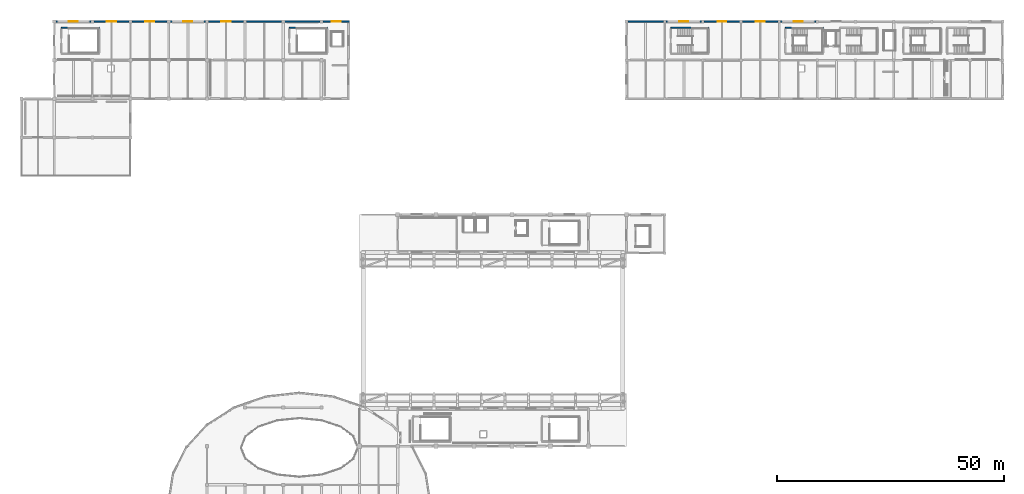
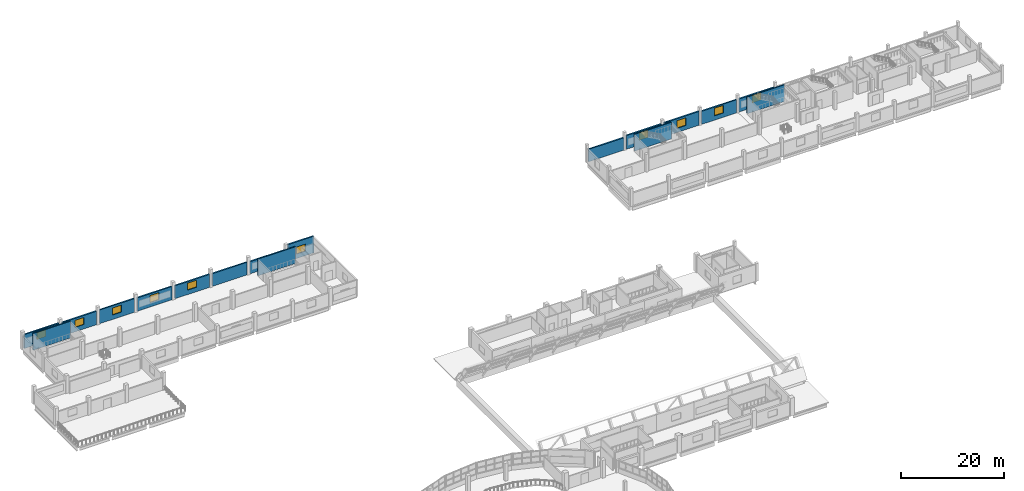
# One storey, part 46 of 52: 17 walls, 10 windows, 10 openings.
"""IFC4 building model written with IfcOpenShell, lengths in metres."""

import ifcopenshell
import ifcopenshell.guid

model = None  # the IFC model being written
_history = None  # IfcOwnerHistory: only IFC2X3 demands one
_inside = {}  # id of a spatial element -> (the spatial element, [elements in it])
_under = {}  # id of a project, library or spatial element -> (it, [spatial elements below it])
_declared = {}  # id of a project -> (the project, [libraries it declares])
_typed = {}  # id of a type object -> (the type object, [elements of that type])
_made_of = {}  # id of a material, layer set ... -> (it, [elements and type objects made of it])


def new_model(schema):
    """Start an empty IFC model of exactly this schema.

    Asked for "IFC4X3", IfcOpenShell would pick the latest addendum, in which some entities
    have other attributes; the version numbers below select the first issue.
    IFC2X3 requires an IfcOwnerHistory on every rooted entity: one is made here for all.
    """
    global model, _history
    if schema == "IFC4X3":
        model = ifcopenshell.file(schema_version=(4, 3, 0, 0))
    else:
        model = ifcopenshell.file(schema=schema)
    _inside.clear()
    _under.clear()
    _declared.clear()
    _typed.clear()
    _made_of.clear()
    _history = None
    if model.schema == "IFC2X3":
        org = make("IfcOrganization", Name="unknown")
        user = make(
            "IfcPersonAndOrganization",
            ThePerson=make("IfcPerson", FamilyName="unknown"),
            TheOrganization=org,
        )
        app = make(
            "IfcApplication",
            ApplicationDeveloper=org,
            Version="unknown",
            ApplicationFullName="unknown",
            ApplicationIdentifier="unknown",
        )
        _history = make(
            "IfcOwnerHistory",
            OwningUser=user,
            OwningApplication=app,
            ChangeAction="ADDED",
            CreationDate=0,
        )
    return model


def make(cls, **values):
    """One entity of the class cls with the attributes given. An attribute that is None is left unset."""
    return model.create_entity(
        cls, **{name: value for name, value in values.items() if value is not None}
    )


def rooted(cls, **values):
    """An entity with a GlobalId (a new one), such as an element, a storey or a relation."""
    return make(cls, GlobalId=ifcopenshell.guid.new(), OwnerHistory=_history, **values)


def si_unit(unit_type, name, prefix=None):
    """IfcSIUnit, for example si_unit("LENGTHUNIT", "METRE", prefix="MILLI")."""
    return make("IfcSIUnit", UnitType=unit_type, Prefix=prefix, Name=name)


def assignment(units):
    """IfcUnitAssignment: the units of a project."""
    return None if units is None else make("IfcUnitAssignment", Units=units)


def point(xyz):
    """IfcCartesianPoint."""
    return None if xyz is None else make("IfcCartesianPoint", Coordinates=xyz)


def direction(xyz):
    """IfcDirection."""
    return None if xyz is None else make("IfcDirection", DirectionRatios=xyz)


def frame(location, z_axis=None, x_axis=None):
    """IfcAxis2Placement3D, a coordinate frame: its origin and axes. An axis left out is left unset."""
    return make(
        "IfcAxis2Placement3D",
        Location=point(location),
        Axis=direction(z_axis),
        RefDirection=direction(x_axis),
    )


def frame_2d(location, x_axis=None):
    """IfcAxis2Placement2D, a coordinate frame in the plane: its origin and x axis."""
    return make(
        "IfcAxis2Placement2D", Location=point(location), RefDirection=direction(x_axis)
    )


def origin():
    """The frame at (0, 0, 0) with its axes left unset."""
    return frame((0.0, 0.0, 0.0))


def place(relative_to, where):
    """IfcLocalPlacement: puts the frame where relative to a parent placement (None: the world)."""
    return make(
        "IfcLocalPlacement", PlacementRelTo=relative_to, RelativePlacement=where
    )


def context(
    kind, dimensions, precision=None, world=None, true_north=None, identifier=None
):
    """IfcGeometricRepresentationContext, for example the 3D "Model" context."""
    return make(
        "IfcGeometricRepresentationContext",
        ContextIdentifier=identifier,
        ContextType=kind,
        CoordinateSpaceDimension=dimensions,
        Precision=precision,
        WorldCoordinateSystem=world,
        TrueNorth=true_north,
    )


def subcontext(parent, identifier, kind, view, scale=None):
    """IfcGeometricRepresentationSubContext, for example "Body" below "Model"."""
    return make(
        "IfcGeometricRepresentationSubContext",
        ContextIdentifier=identifier,
        ContextType=kind,
        ParentContext=parent,
        TargetScale=scale,
        TargetView=view,
    )


def project(units=None, contexts=None):
    """IfcProject with its units and contexts."""
    return rooted(
        "IfcProject",
        Name="project",
        RepresentationContexts=contexts,
        UnitsInContext=assignment(units),
    )


def spatial(cls, under=None, at=None, **own):
    """A site, building, storey or space (cls), placed at a placement, below another one or the project."""
    s = rooted(cls, ObjectPlacement=at, **own)
    if under is not None:
        _under.setdefault(under.id(), (under, []))[1].append(s)
    return s


def profile(cls, at=None, kind="AREA", **sizes):
    """A parametric profile (cls). Its sizes go by their IFC names, for example OverallWidth=200.0."""
    return make(cls, ProfileType=kind, Position=at, **sizes)


def rectangle(**sizes):
    """IfcRectangleProfileDef."""
    return profile("IfcRectangleProfileDef", **sizes)


def extrude(swept, where, along, depth):
    """IfcExtrudedAreaSolid: the profile swept, set in the frame where, extruded along a direction by depth."""
    return make(
        "IfcExtrudedAreaSolid",
        SweptArea=swept,
        Position=where,
        ExtrudedDirection=direction(along),
        Depth=depth,
    )


def shape(context_of_items, identifier, shape_type, items):
    """IfcShapeRepresentation: the items that make up one representation, for example the "Body"."""
    return make(
        "IfcShapeRepresentation",
        ContextOfItems=context_of_items,
        RepresentationIdentifier=identifier,
        RepresentationType=shape_type,
        Items=items,
    )


def material(Name=None, Category=None):
    """IfcMaterial."""
    return make("IfcMaterial", Name=Name, Category=Category)


def layer(
    of_material, thickness, ventilated=None, Name=None, Category=None, Priority=None
):
    """IfcMaterialLayer: one layer of a wall or slab, of a material (None: an air gap)."""
    return make(
        "IfcMaterialLayer",
        Material=of_material,
        LayerThickness=thickness,
        IsVentilated=ventilated,
        Name=Name,
        Category=Category,
        Priority=Priority,
    )


def layer_set(layers, Name=None):
    """IfcMaterialLayerSet."""
    return make("IfcMaterialLayerSet", MaterialLayers=layers, LayerSetName=Name)


def made_of(thing, what):
    """Note that an element or type object is made of a material, layer set ...; save() writes the relation."""
    if what is not None:
        _made_of.setdefault(what.id(), (what, []))[1].append(thing)
    return thing


def type_object(cls, material=None, **own):
    """A type object (cls), such as IfcWallType, which elements share."""
    return made_of(rooted(cls, **own), material)


def element(
    cls,
    number,
    at=None,
    inside=None,
    cuts=None,
    type_object=None,
    material=None,
    context=None,
    identifier="Body",
    shape_type=None,
    held_by="IfcProductDefinitionShape",
    body=None,
    shapes=None,
    **own,
):
    """One element of the class cls, such as IfcWall. Its Tag is "e" and its number.

    at: its placement. inside: the storey or other place that contains it. cuts: it is an
    opening in that element (IfcRelVoidsElement). A single representation is given by context,
    identifier, shape_type and body (its items); several are given by shapes. held_by: the class
    of the entity that holds the representations. save() writes the other relations.
    """
    e = rooted(cls, Tag="e%d" % number, ObjectPlacement=at, **own)
    if body is not None:
        shapes = [shape(context, identifier, shape_type, body)]
    if shapes is not None:
        e.Representation = make(held_by, Representations=shapes)
    if inside is not None:
        _inside.setdefault(inside.id(), (inside, []))[1].append(e)
    if cuts is not None:
        rooted(
            "IfcRelVoidsElement", RelatingBuildingElement=cuts, RelatedOpeningElement=e
        )
    if type_object is not None:
        _typed.setdefault(type_object.id(), (type_object, []))[1].append(e)
    return made_of(e, material)


def fill(opening, filler):
    """IfcRelFillsElement: the door or window that sits in an opening."""
    return rooted(
        "IfcRelFillsElement",
        RelatingOpeningElement=opening,
        RelatedBuildingElement=filler,
    )


def aggregate(whole, parts):
    """IfcRelAggregates: a whole, such as a stair, and the parts it consists of."""
    return rooted("IfcRelAggregates", RelatingObject=whole, RelatedObjects=parts)


def save(model, path):
    """Write the relations noted so far, then the file.

    IfcRelAggregates (storeys below a building ...), IfcRelContainedInSpatialStructure (elements
    in a storey), IfcRelDefinesByType, IfcRelAssociatesMaterial and IfcRelDeclares: one each for
    every whole, place, type object, material and project.
    """
    for whole, parts in _under.values():
        aggregate(whole, parts)
    for where, things in _inside.values():
        rooted(
            "IfcRelContainedInSpatialStructure",
            RelatedElements=things,
            RelatingStructure=where,
        )
    for kind, things in _typed.values():
        rooted("IfcRelDefinesByType", RelatedObjects=things, RelatingType=kind)
    for what, things in _made_of.values():
        rooted("IfcRelAssociatesMaterial", RelatedObjects=things, RelatingMaterial=what)
    for by, libraries in _declared.values():
        rooted("IfcRelDeclares", RelatingContext=by, RelatedDefinitions=libraries)
    model.write(path)


model = new_model("IFC4")

# Units and contexts
model_context = context("Model", 3, precision=1e-05, world=origin(), true_north=direction((0.0, 1.0)))
body_context = subcontext(model_context, "Body", "Model", "MODEL_VIEW")
ifc_project = project(units=[si_unit("LENGTHUNIT", "METRE"), si_unit("AREAUNIT", "SQUARE_METRE"), si_unit("VOLUMEUNIT", "CUBIC_METRE"), si_unit("PLANEANGLEUNIT", "RADIAN"), si_unit("MASSUNIT", "GRAM", prefix="KILO")], contexts=[model_context])

# Site, building, storey
site_placement = place(None, origin())
site = spatial("IfcSite", under=ifc_project, at=site_placement, CompositionType="ELEMENT")
building_placement = place(site_placement, origin())
building = spatial("IfcBuilding", under=site, at=building_placement, Name="Solvento Point Concert Hall", CompositionType="ELEMENT")
storey_placement = place(building_placement, frame((0.0, 0.0, 19.5)))
storey = spatial("IfcBuildingStorey", under=building, at=storey_placement, Name="L04", CompositionType="ELEMENT", Elevation=19.5)

# Walls
ifc_material_1 = material(Name="Concrete C40/50", Category="concrete")
ifc_layer_1 = layer(ifc_material_1, 0.300048828125)
ifc_layer_set_1 = layer_set([ifc_layer_1], Name="Concrete C40/50")
wall_type_1 = type_object("IfcWallType", Name="CoreShearWall_300", PredefinedType="SHEAR", material=ifc_layer_set_1)
for number, where, z_axis, x_axis, name in (
    (1, (168.14990234375, 134.64990234375, 0.0), (0.0, 0.0, 1.0), (1.0, 0.0, 0.0), "Stair core shear wall W-SH1 ST-01 L04"),
    (2, (58.949951171875, 134.64990234375, 0.0), (0.0, 0.0, 1.0), (1.0, 0.0, 0.0), "Stair core shear wall W-SH1 ST-04 L04"),
    (3, (8.75, 134.64990234375, 0.0), (0.0, 0.0, 1.0), (1.0, 0.0, 0.0), "Stair core shear wall W-SH1 ST-05 L04"),
    (4, (142.949951171875, 134.64990234375, 0.0), (0.0, 0.0, 1.0), (1.0, 0.0, 0.0), "Stair core shear wall W-SH1 ST-12 L04"),
):
    element("IfcWall", number, at=place(storey_placement, frame(where, z_axis=z_axis, x_axis=x_axis)), inside=storey, type_object=wall_type_1, Name=name, PredefinedType="SHEAR", context=body_context, shape_type="SweptSolid", body=[
        extrude(rectangle(XDim=8.300048828125, YDim=0.25, at=frame_2d((4.14990234375, 0.0))), origin(), (0.0, 0.0, 1.0), 3.93994140625),
    ])

# Wall, opening, window
ifc_material_2 = material(Name="Concrete C40/50", Category="concrete")
ifc_layer_2 = layer(ifc_material_2, 0.31005859375)
ifc_layer_set_2 = layer_set([ifc_layer_2], Name="Concrete C40/50")
wall_type_2 = type_object("IfcWallType", Name="ExtWall_V4_Cler_310", PredefinedType="SOLIDWALL", material=ifc_layer_set_2)
wall_1_placement = place(storey_placement, frame((7.530029296875, 136.0, 0.0), z_axis=(0.0, 0.0, 1.0), x_axis=(1.0, 0.0, 0.0)))
wall_1 = element("IfcWall", 5, at=wall_1_placement, inside=storey, type_object=wall_type_2, Name="Exterior architectural concrete wall EW-30 L04", PredefinedType="SOLIDWALL", context=body_context, shape_type="SweptSolid", body=[
    extrude(rectangle(XDim=7.739990234375, YDim=0.31005859375, at=frame_2d((3.8701171875, 0.0))), origin(), (0.0, 0.0, 1.0), 3.31591796875),
])
opening_1_placement = place(wall_1_placement, frame((2.8701171875, 0.0, 1.050048828125)))
opening_1 = element("IfcOpeningElement", 6, at=opening_1_placement, cuts=wall_1, Name="Opening WN-14", PredefinedType="OPENING", context=body_context, shape_type="SweptSolid", body=[
    extrude(rectangle(XDim=2.0, YDim=1.64990234375, at=frame_2d((1.0, 0.824951171875))), frame((0.0, 0.1650390625, 0.0), z_axis=(0.0, -1.0, 0.0), x_axis=(1.0, 0.0, 0.0)), (0.0, 0.0, 1.0), 0.330078125),
])
ifc_material_3 = material(Name="Hurricane Laminated Low-E Glass", Category="glass")
window_type_1 = type_object("IfcWindowType", Name="Win_V4_Practice_L04", PartitioningType="SINGLE_PANEL", PredefinedType="WINDOW", material=ifc_material_3)
window_1_placement = place(opening_1_placement, origin())
window_1 = element("IfcWindow", 7, at=window_1_placement, inside=storey, type_object=window_type_1, Name="Impact acoustic window WN-14", OverallHeight=1.64990234375, OverallWidth=2.0, PartitioningType="SINGLE_PANEL", PredefinedType="WINDOW", context=body_context, shape_type="SweptSolid", body=[
    extrude(rectangle(XDim=2.0, YDim=1.64990234375, at=frame_2d((1.0, 0.824951171875))), frame((0.0, 0.030029296875, 0.0), z_axis=(0.0, -1.0, 0.0), x_axis=(1.0, 0.0, 0.0)), (0.0, 0.0, 1.0), 0.06005859375),
])
fill(opening_1, window_1)

wall_2_placement = place(storey_placement, frame((15.929931640625, 136.0, 0.0), z_axis=(0.0, 0.0, 1.0), x_axis=(1.0, 0.0, 0.0)))
wall_2 = element("IfcWall", 8, at=wall_2_placement, inside=storey, type_object=wall_type_2, Name="Exterior architectural concrete wall EW-30 L04", PredefinedType="SOLIDWALL", context=body_context, shape_type="SweptSolid", body=[
    extrude(rectangle(XDim=7.739990234375, YDim=0.31005859375, at=frame_2d((3.8701171875, 0.0))), origin(), (0.0, 0.0, 1.0), 3.2041015625),
])
opening_2_placement = place(wall_2_placement, frame((2.8701171875, 0.0, 1.050048828125)))
opening_2 = element("IfcOpeningElement", 9, at=opening_2_placement, cuts=wall_2, Name="Opening WN-14", PredefinedType="OPENING", context=body_context, shape_type="SweptSolid", body=[
    extrude(rectangle(XDim=2.0, YDim=1.64990234375, at=frame_2d((1.0, 0.824951171875))), frame((0.0, 0.1650390625, 0.0), z_axis=(0.0, -1.0, 0.0), x_axis=(1.0, 0.0, 0.0)), (0.0, 0.0, 1.0), 0.330078125),
])
window_2_placement = place(opening_2_placement, origin())
window_2 = element("IfcWindow", 10, at=window_2_placement, inside=storey, type_object=window_type_1, Name="Impact acoustic window WN-14", OverallHeight=1.64990234375, OverallWidth=2.0, PartitioningType="SINGLE_PANEL", PredefinedType="WINDOW", context=body_context, shape_type="SweptSolid", body=[
    extrude(rectangle(XDim=2.0, YDim=1.64990234375, at=frame_2d((1.0, 0.824951171875))), frame((0.0, 0.030029296875, 0.0), z_axis=(0.0, -1.0, 0.0), x_axis=(1.0, 0.0, 0.0)), (0.0, 0.0, 1.0), 0.06005859375),
])
fill(opening_2, window_2)

wall_3_placement = place(storey_placement, frame((24.330078125, 136.0, 0.0), z_axis=(0.0, 0.0, 1.0), x_axis=(1.0, 0.0, 0.0)))
wall_3 = element("IfcWall", 11, at=wall_3_placement, inside=storey, type_object=wall_type_2, Name="Exterior architectural concrete wall EW-30 L04", PredefinedType="SOLIDWALL", context=body_context, shape_type="SweptSolid", body=[
    extrude(rectangle(XDim=7.739990234375, YDim=0.31005859375, at=frame_2d((3.8701171875, 0.0))), origin(), (0.0, 0.0, 1.0), 3.23095703125),
])
opening_3_placement = place(wall_3_placement, frame((2.8701171875, 0.0, 1.050048828125)))
opening_3 = element("IfcOpeningElement", 12, at=opening_3_placement, cuts=wall_3, Name="Opening WN-14", PredefinedType="OPENING", context=body_context, shape_type="SweptSolid", body=[
    extrude(rectangle(XDim=2.0, YDim=1.64990234375, at=frame_2d((1.0, 0.824951171875))), frame((0.0, 0.1650390625, 0.0), z_axis=(0.0, -1.0, 0.0), x_axis=(1.0, 0.0, 0.0)), (0.0, 0.0, 1.0), 0.330078125),
])
window_3_placement = place(opening_3_placement, origin())
window_3 = element("IfcWindow", 13, at=window_3_placement, inside=storey, type_object=window_type_1, Name="Impact acoustic window WN-14", OverallHeight=1.64990234375, OverallWidth=2.0, PartitioningType="SINGLE_PANEL", PredefinedType="WINDOW", context=body_context, shape_type="SweptSolid", body=[
    extrude(rectangle(XDim=2.0, YDim=1.64990234375, at=frame_2d((1.0, 0.824951171875))), frame((0.0, 0.030029296875, 0.0), z_axis=(0.0, -1.0, 0.0), x_axis=(1.0, 0.0, 0.0)), (0.0, 0.0, 1.0), 0.06005859375),
])
fill(opening_3, window_3)

wall_4_placement = place(storey_placement, frame((32.72998046875, 136.0, 0.0), z_axis=(0.0, 0.0, 1.0), x_axis=(1.0, 0.0, 0.0)))
wall_4 = element("IfcWall", 14, at=wall_4_placement, inside=storey, type_object=wall_type_2, Name="Exterior architectural concrete wall EW-30 L04", PredefinedType="SOLIDWALL", context=body_context, shape_type="SweptSolid", body=[
    extrude(rectangle(XDim=7.739990234375, YDim=0.31005859375, at=frame_2d((3.8701171875, 0.0))), origin(), (0.0, 0.0, 1.0), 3.154052734375),
])
opening_4_placement = place(wall_4_placement, frame((2.8701171875, 0.0, 1.050048828125)))
opening_4 = element("IfcOpeningElement", 15, at=opening_4_placement, cuts=wall_4, Name="Opening WN-14", PredefinedType="OPENING", context=body_context, shape_type="SweptSolid", body=[
    extrude(rectangle(XDim=2.0, YDim=1.64990234375, at=frame_2d((1.0, 0.824951171875))), frame((0.0, 0.1650390625, 0.0), z_axis=(0.0, -1.0, 0.0), x_axis=(1.0, 0.0, 0.0)), (0.0, 0.0, 1.0), 0.330078125),
])
window_4_placement = place(opening_4_placement, origin())
window_4 = element("IfcWindow", 16, at=window_4_placement, inside=storey, type_object=window_type_1, Name="Impact acoustic window WN-14", OverallHeight=1.64990234375, OverallWidth=2.0, PartitioningType="SINGLE_PANEL", PredefinedType="WINDOW", context=body_context, shape_type="SweptSolid", body=[
    extrude(rectangle(XDim=2.0, YDim=1.64990234375, at=frame_2d((1.0, 0.824951171875))), frame((0.0, 0.030029296875, 0.0), z_axis=(0.0, -1.0, 0.0), x_axis=(1.0, 0.0, 0.0)), (0.0, 0.0, 1.0), 0.06005859375),
])
fill(opening_4, window_4)

wall_5_placement = place(storey_placement, frame((41.1298828125, 136.0, 0.0), z_axis=(0.0, 0.0, 1.0), x_axis=(1.0, 0.0, 0.0)))
wall_5 = element("IfcWall", 17, at=wall_5_placement, inside=storey, type_object=wall_type_2, Name="Exterior architectural concrete wall EW-30 L04", PredefinedType="SOLIDWALL", context=body_context, shape_type="SweptSolid", body=[
    extrude(rectangle(XDim=7.740234375, YDim=0.31005859375, at=frame_2d((3.8701171875, 0.0))), origin(), (0.0, 0.0, 1.0), 3.06494140625),
])
opening_5_placement = place(wall_5_placement, frame((2.8701171875, 0.0, 1.050048828125)))
opening_5 = element("IfcOpeningElement", 18, at=opening_5_placement, cuts=wall_5, Name="Opening WN-14", PredefinedType="OPENING", context=body_context, shape_type="SweptSolid", body=[
    extrude(rectangle(XDim=2.0, YDim=1.64990234375, at=frame_2d((1.0, 0.824951171875))), frame((0.0, 0.1650390625, 0.0), z_axis=(0.0, -1.0, 0.0), x_axis=(1.0, 0.0, 0.0)), (0.0, 0.0, 1.0), 0.330078125),
])
window_5_placement = place(opening_5_placement, origin())
window_5 = element("IfcWindow", 19, at=window_5_placement, inside=storey, type_object=window_type_1, Name="Impact acoustic window WN-14", OverallHeight=1.64990234375, OverallWidth=2.0, PartitioningType="SINGLE_PANEL", PredefinedType="WINDOW", context=body_context, shape_type="SweptSolid", body=[
    extrude(rectangle(XDim=2.0, YDim=1.64990234375, at=frame_2d((1.0, 0.824951171875))), frame((0.0, 0.030029296875, 0.0), z_axis=(0.0, -1.0, 0.0), x_axis=(1.0, 0.0, 0.0)), (0.0, 0.0, 1.0), 0.06005859375),
])
fill(opening_5, window_5)

# Walls
wall_6_placement = place(storey_placement, frame((49.530029296875, 136.0, 0.0), z_axis=(0.0, 0.0, 1.0), x_axis=(1.0, 0.0, 0.0)))
element("IfcWall", 20, at=wall_6_placement, inside=storey, type_object=wall_type_2, Name="Exterior architectural concrete wall EW-30 L04", PredefinedType="SOLIDWALL", context=body_context, shape_type="SweptSolid", body=[
    extrude(rectangle(XDim=7.739990234375, YDim=0.31005859375, at=frame_2d((3.8701171875, 0.0))), origin(), (0.0, 0.0, 1.0), 2.9970703125),
])
wall_7_placement = place(storey_placement, frame((57.929931640625, 136.0, 0.0), z_axis=(0.0, 0.0, 1.0), x_axis=(1.0, 0.0, 0.0)))
element("IfcWall", 21, at=wall_7_placement, inside=storey, type_object=wall_type_2, Name="Exterior architectural concrete wall EW-30 L04", PredefinedType="SOLIDWALL", context=body_context, shape_type="SweptSolid", body=[
    extrude(rectangle(XDim=7.739990234375, YDim=0.31005859375, at=frame_2d((3.8701171875, 0.0))), origin(), (0.0, 0.0, 1.0), 2.89794921875),
])

# Wall, opening, window
wall_8_placement = place(storey_placement, frame((66.330078125, 136.0, 0.0), z_axis=(0.0, 0.0, 1.0), x_axis=(1.0, 0.0, 0.0)))
wall_8 = element("IfcWall", 22, at=wall_8_placement, inside=storey, type_object=wall_type_2, Name="Exterior architectural concrete wall EW-30 L04", PredefinedType="SOLIDWALL", context=body_context, shape_type="SweptSolid", body=[
    extrude(rectangle(XDim=5.829833984375, YDim=0.31005859375, at=frame_2d((2.9150390625, 0.0))), origin(), (0.0, 0.0, 1.0), 3.93994140625),
])
opening_6_placement = place(wall_8_placement, frame((1.9150390625, 0.0, 1.050048828125)))
opening_6 = element("IfcOpeningElement", 23, at=opening_6_placement, cuts=wall_8, Name="Opening WN-14", PredefinedType="OPENING", context=body_context, shape_type="SweptSolid", body=[
    extrude(rectangle(XDim=2.0, YDim=1.64990234375, at=frame_2d((1.0, 0.824951171875))), frame((0.0, 0.1650390625, 0.0), z_axis=(0.0, -1.0, 0.0), x_axis=(1.0, 0.0, 0.0)), (0.0, 0.0, 1.0), 0.330078125),
])
window_6_placement = place(opening_6_placement, origin())
window_6 = element("IfcWindow", 24, at=window_6_placement, inside=storey, type_object=window_type_1, Name="Impact acoustic window WN-14", OverallHeight=1.64990234375, OverallWidth=2.0, PartitioningType="SINGLE_PANEL", PredefinedType="WINDOW", context=body_context, shape_type="SweptSolid", body=[
    extrude(rectangle(XDim=2.0, YDim=1.64990234375, at=frame_2d((1.0, 0.824951171875))), frame((0.0, 0.030029296875, 0.0), z_axis=(0.0, -1.0, 0.0), x_axis=(1.0, 0.0, 0.0)), (0.0, 0.0, 1.0), 0.06005859375),
])
fill(opening_6, window_6)

# Wall
ifc_material_4 = material(Name="Concrete C35/45", Category="concrete")
ifc_layer_3 = layer(ifc_material_4, 0.330078125)
ifc_layer_set_3 = layer_set([ifc_layer_3], Name="Concrete C35/45")
wall_type_3 = type_object("IfcWallType", Name="ExtWall_V5_Plinth_330", PredefinedType="SOLIDWALL", material=ifc_layer_set_3)
wall_9_placement = place(storey_placement, frame((133.47998046875, 136.0, 0.0), z_axis=(0.0, 0.0, 1.0), x_axis=(1.0, 0.0, 0.0)))
element("IfcWall", 25, at=wall_9_placement, inside=storey, type_object=wall_type_3, Name="Exterior architectural concrete wall EW-72 L04", PredefinedType="SOLIDWALL", context=body_context, shape_type="SweptSolid", body=[
    extrude(rectangle(XDim=7.840087890625, YDim=0.330078125, at=frame_2d((3.919921875, 0.0))), origin(), (0.0, 0.0, 1.0), 2.93408203125),
])

# Wall, opening, window
wall_10_placement = place(storey_placement, frame((141.8798828125, 136.0, 0.0), z_axis=(0.0, 0.0, 1.0), x_axis=(1.0, 0.0, 0.0)))
wall_10 = element("IfcWall", 26, at=wall_10_placement, inside=storey, type_object=wall_type_3, Name="Exterior architectural concrete wall EW-72 L04", PredefinedType="SOLIDWALL", context=body_context, shape_type="SweptSolid", body=[
    extrude(rectangle(XDim=7.840087890625, YDim=0.330078125, at=frame_2d((3.919921875, 0.0))), origin(), (0.0, 0.0, 1.0), 3.22607421875),
])
opening_7_placement = place(wall_10_placement, frame((2.945068359375, 0.0, 1.0)))
opening_7 = element("IfcOpeningElement", 27, at=opening_7_placement, cuts=wall_10, Name="Opening WN-59", PredefinedType="OPENING", context=body_context, shape_type="SweptSolid", body=[
    extrude(rectangle(XDim=1.949951171875, YDim=1.800048828125, at=frame_2d((0.97509765625, 0.89990234375))), frame((0.0, 0.175048828125, 0.0), z_axis=(0.0, -1.0, 0.0), x_axis=(1.0, 0.0, 0.0)), (0.0, 0.0, 1.0), 0.35009765625),
])
ifc_material_5 = material(Name="Hurricane Laminated Low-E Glass", Category="glass")
window_type_2 = type_object("IfcWindowType", Name="Win_V5_Faculty_L04", PartitioningType="SINGLE_PANEL", PredefinedType="WINDOW", material=ifc_material_5)
window_7_placement = place(opening_7_placement, origin())
window_7 = element("IfcWindow", 28, at=window_7_placement, inside=storey, type_object=window_type_2, Name="Impact acoustic window WN-59", OverallHeight=1.800048828125, OverallWidth=1.949951171875, PartitioningType="SINGLE_PANEL", PredefinedType="WINDOW", context=body_context, shape_type="SweptSolid", body=[
    extrude(rectangle(XDim=1.949951171875, YDim=1.800048828125, at=frame_2d((0.97509765625, 0.89990234375))), frame((0.0, 0.030029296875, 0.0), z_axis=(0.0, -1.0, 0.0), x_axis=(1.0, 0.0, 0.0)), (0.0, 0.0, 1.0), 0.06005859375),
])
fill(opening_7, window_7)

wall_11_placement = place(storey_placement, frame((150.280029296875, 136.0, 0.0), z_axis=(0.0, 0.0, 1.0), x_axis=(1.0, 0.0, 0.0)))
wall_11 = element("IfcWall", 29, at=wall_11_placement, inside=storey, type_object=wall_type_3, Name="Exterior architectural concrete wall EW-72 L04", PredefinedType="SOLIDWALL", context=body_context, shape_type="SweptSolid", body=[
    extrude(rectangle(XDim=7.840087890625, YDim=0.330078125, at=frame_2d((3.919921875, 0.0))), origin(), (0.0, 0.0, 1.0), 3.284912109375),
])
opening_8_placement = place(wall_11_placement, frame((2.945068359375, 0.0, 1.0)))
opening_8 = element("IfcOpeningElement", 30, at=opening_8_placement, cuts=wall_11, Name="Opening WN-59", PredefinedType="OPENING", context=body_context, shape_type="SweptSolid", body=[
    extrude(rectangle(XDim=1.949951171875, YDim=1.800048828125, at=frame_2d((0.97509765625, 0.89990234375))), frame((0.0, 0.175048828125, 0.0), z_axis=(0.0, -1.0, 0.0), x_axis=(1.0, 0.0, 0.0)), (0.0, 0.0, 1.0), 0.35009765625),
])
window_8_placement = place(opening_8_placement, origin())
window_8 = element("IfcWindow", 31, at=window_8_placement, inside=storey, type_object=window_type_2, Name="Impact acoustic window WN-59", OverallHeight=1.800048828125, OverallWidth=1.949951171875, PartitioningType="SINGLE_PANEL", PredefinedType="WINDOW", context=body_context, shape_type="SweptSolid", body=[
    extrude(rectangle(XDim=1.949951171875, YDim=1.800048828125, at=frame_2d((0.97509765625, 0.89990234375))), frame((0.0, 0.030029296875, 0.0), z_axis=(0.0, -1.0, 0.0), x_axis=(1.0, 0.0, 0.0)), (0.0, 0.0, 1.0), 0.06005859375),
])
fill(opening_8, window_8)

wall_12_placement = place(storey_placement, frame((158.679931640625, 136.0, 0.0), z_axis=(0.0, 0.0, 1.0), x_axis=(1.0, 0.0, 0.0)))
wall_12 = element("IfcWall", 32, at=wall_12_placement, inside=storey, type_object=wall_type_3, Name="Exterior architectural concrete wall EW-72 L04", PredefinedType="SOLIDWALL", context=body_context, shape_type="SweptSolid", body=[
    extrude(rectangle(XDim=7.840087890625, YDim=0.330078125, at=frame_2d((3.919921875, 0.0))), origin(), (0.0, 0.0, 1.0), 3.083984375),
])
opening_9_placement = place(wall_12_placement, frame((2.945068359375, 0.0, 1.0)))
opening_9 = element("IfcOpeningElement", 33, at=opening_9_placement, cuts=wall_12, Name="Opening WN-59", PredefinedType="OPENING", context=body_context, shape_type="SweptSolid", body=[
    extrude(rectangle(XDim=1.949951171875, YDim=1.800048828125, at=frame_2d((0.97509765625, 0.89990234375))), frame((0.0, 0.175048828125, 0.0), z_axis=(0.0, -1.0, 0.0), x_axis=(1.0, 0.0, 0.0)), (0.0, 0.0, 1.0), 0.35009765625),
])
window_9_placement = place(opening_9_placement, origin())
window_9 = element("IfcWindow", 34, at=window_9_placement, inside=storey, type_object=window_type_2, Name="Impact acoustic window WN-59", OverallHeight=1.800048828125, OverallWidth=1.949951171875, PartitioningType="SINGLE_PANEL", PredefinedType="WINDOW", context=body_context, shape_type="SweptSolid", body=[
    extrude(rectangle(XDim=1.949951171875, YDim=1.800048828125, at=frame_2d((0.97509765625, 0.89990234375))), frame((0.0, 0.030029296875, 0.0), z_axis=(0.0, -1.0, 0.0), x_axis=(1.0, 0.0, 0.0)), (0.0, 0.0, 1.0), 0.06005859375),
])
fill(opening_9, window_9)

wall_13_placement = place(storey_placement, frame((167.080078125, 136.0, 0.0), z_axis=(0.0, 0.0, 1.0), x_axis=(1.0, 0.0, 0.0)))
wall_13 = element("IfcWall", 35, at=wall_13_placement, inside=storey, type_object=wall_type_3, Name="Exterior architectural concrete wall EW-72 L04", PredefinedType="SOLIDWALL", context=body_context, shape_type="SweptSolid", body=[
    extrude(rectangle(XDim=7.83984375, YDim=0.330078125, at=frame_2d((3.919921875, 0.0))), origin(), (0.0, 0.0, 1.0), 3.06396484375),
])
opening_10_placement = place(wall_13_placement, frame((2.945068359375, 0.0, 1.0)))
opening_10 = element("IfcOpeningElement", 36, at=opening_10_placement, cuts=wall_13, Name="Opening WN-59", PredefinedType="OPENING", context=body_context, shape_type="SweptSolid", body=[
    extrude(rectangle(XDim=1.949951171875, YDim=1.800048828125, at=frame_2d((0.97509765625, 0.89990234375))), frame((0.0, 0.175048828125, 0.0), z_axis=(0.0, -1.0, 0.0), x_axis=(1.0, 0.0, 0.0)), (0.0, 0.0, 1.0), 0.35009765625),
])
window_10_placement = place(opening_10_placement, origin())
window_10 = element("IfcWindow", 37, at=window_10_placement, inside=storey, type_object=window_type_2, Name="Impact acoustic window WN-59", OverallHeight=1.800048828125, OverallWidth=1.949951171875, PartitioningType="SINGLE_PANEL", PredefinedType="WINDOW", context=body_context, shape_type="SweptSolid", body=[
    extrude(rectangle(XDim=1.949951171875, YDim=1.800048828125, at=frame_2d((0.97509765625, 0.89990234375))), frame((0.0, 0.030029296875, 0.0), z_axis=(0.0, -1.0, 0.0), x_axis=(1.0, 0.0, 0.0)), (0.0, 0.0, 1.0), 0.06005859375),
])
fill(opening_10, window_10)

save(model, "model.ifc")
